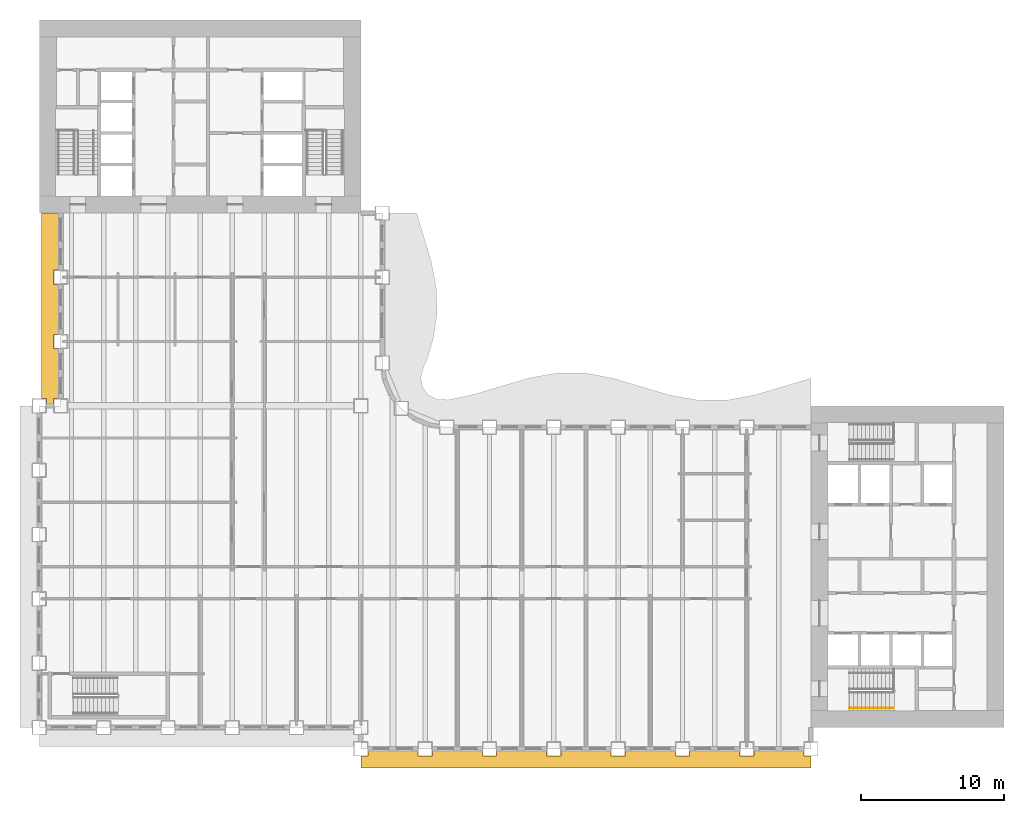
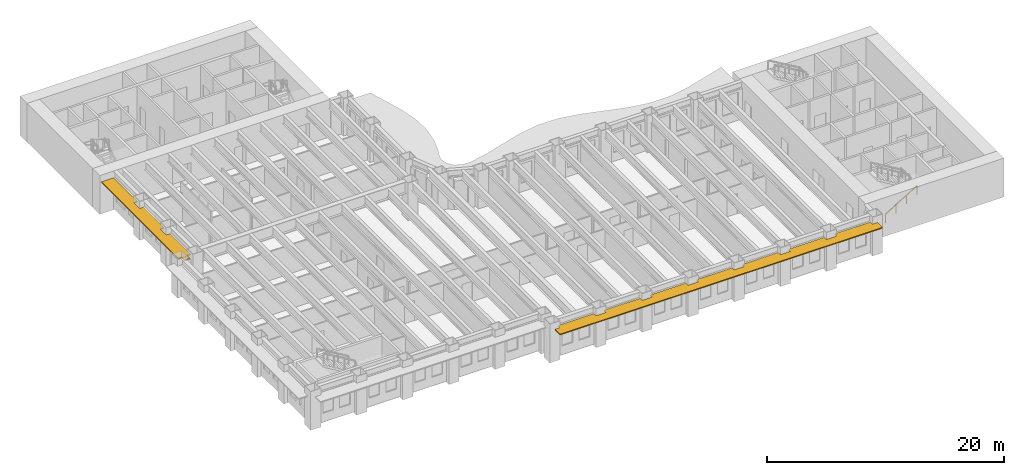
# One storey, part 12 of 16: 2 shading devices, 1 railing.
"""IFC4 building model written with IfcOpenShell, lengths in metres."""

from ifc_helpers import new_model, si_unit, direction, frame, origin, origin_2d, place, context, subcontext, project, spatial, polyline, rectangle, outline, extrude, material, layer, layer_set, type_object, element, save


model = new_model("IFC4")

# Units and contexts
model_context = context("Model", 3, precision=1e-05, world=origin(), true_north=direction((0.0, 1.0)))
body_context = subcontext(model_context, "Body", "Model", "MODEL_VIEW")
ifc_project = project(units=[si_unit("LENGTHUNIT", "METRE"), si_unit("AREAUNIT", "SQUARE_METRE"), si_unit("VOLUMEUNIT", "CUBIC_METRE"), si_unit("PLANEANGLEUNIT", "RADIAN"), si_unit("MASSUNIT", "GRAM", prefix="KILO")], contexts=[model_context])

# Site, building, storey
site_placement = place(None, origin())
site = spatial("IfcSite", under=ifc_project, at=site_placement, CompositionType="ELEMENT")
building_placement = place(site_placement, origin())
building = spatial("IfcBuilding", under=site, at=building_placement, Name="Sennacour Bend Tower", CompositionType="ELEMENT")
storey_placement = place(building_placement, frame((0.0, 0.0, 99.0)))
storey = spatial("IfcBuildingStorey", under=building, at=storey_placement, Name="L22", CompositionType="ELEMENT", Elevation=99.0)

# Railing
ifc_material_1 = material(Name="Stainless steel", Category="steel")
railing_type = type_object("IfcRailingType", Name="RL-HANDRAIL-900", PredefinedType="HANDRAIL", material=ifc_material_1)
railing_placement = place(storey_placement, frame((56.699951171875, 1.35009765625, 0.166748046875)))
element("IfcRailing", 1, at=railing_placement, inside=storey, type_object=railing_type, Name="L22 SA1 stair handrail 1", PredefinedType="HANDRAIL", context=body_context, shape_type="SweptSolid", body=[
    extrude(rectangle(XDim=0.048095703125, YDim=0.048095703125, at=origin_2d()), frame((0.0, 0.0, 0.8759765625), z_axis=(0.859308565015, 0.0, 0.511457515432), x_axis=(0.0, 1.0, 0.0)), (0.0, 0.0, 1.0), 3.58447265625),
    extrude(rectangle(XDim=0.0419921875, YDim=0.0419921875, at=origin_2d()), origin(), (0.0, 0.0, 1.0), 0.851806640625),
    extrude(rectangle(XDim=0.0419921875, YDim=0.0419921875, at=origin_2d()), frame((1.026611328125, 0.0, 0.611083984375)), (0.0, 0.0, 1.0), 0.851806640625),
    extrude(rectangle(XDim=0.0419921875, YDim=0.0419921875, at=origin_2d()), frame((2.053466796875, 0.0, 1.22216796875)), (0.0, 0.0, 1.0), 0.851806640625),
    extrude(rectangle(XDim=0.0419921875, YDim=0.0419921875, at=origin_2d()), frame((3.080078125, 0.0, 1.833251953125)), (0.0, 0.0, 1.0), 0.851806640625),
])

# Shading devices
ifc_material_2 = material(Name="Bronze anodised aluminium", Category="aluminium")
ifc_layer = layer(ifc_material_2, 0.10009765625, Name="Bronze anodised aluminium", Category="aluminium")
ifc_layer_set = layer_set([ifc_layer], Name="Bronze anodised aluminium")
shading_device_type = type_object("IfcShadingDeviceType", Name="SUNSHADE BAND STRAIGHT", PredefinedType="USERDEFINED", material=ifc_layer_set)
shading_device_1_placement = place(storey_placement, frame((0.0, 0.0, 3.053955078125)))
element("IfcShadingDevice", 2, at=shading_device_1_placement, inside=storey, type_object=shading_device_type, Name="Sunshade band L22 A outer face", ObjectType="SUNSHADE", PredefinedType="USERDEFINED", context=body_context, shape_type="SweptSolid", body=[
    extrude(outline(polyline([(26.5, -1.64990234375), (26.5, -2.0), (27.5, -2.0), (27.5, -1.64990234375), (31.0, -1.64990234375), (31.0, -2.0), (32.0, -2.0), (32.0, -1.64990234375), (35.5, -1.64990234375), (35.5, -2.0), (36.5, -2.0), (36.5, -1.64990234375), (40.0, -1.64990234375), (40.0, -2.0), (41.0, -2.0), (41.0, -1.64990234375), (44.5, -1.64990234375), (44.5, -2.0), (45.5, -2.0), (45.5, -1.64990234375), (49.0, -1.64990234375), (49.0, -2.0), (50.0, -2.0), (50.0, -1.64990234375), (53.5, -1.64990234375), (53.5, -2.0), (54.0, -2.0), (54.0, -2.85009765625), (22.5, -2.85009765625), (22.5, -2.0), (23.0, -2.0), (23.0, -1.64990234375), (26.5, -1.64990234375)])), origin(), (0.0, 0.0, 1.0), 0.10009765625),
])
shading_device_2_placement = place(storey_placement, frame((0.0, 0.0, 3.053955078125)))
element("IfcShadingDevice", 3, at=shading_device_2_placement, inside=storey, type_object=shading_device_type, Name="Sunshade band L22 B outer face", ObjectType="SUNSHADE", PredefinedType="USERDEFINED", context=body_context, shape_type="SweptSolid", body=[
    extrude(outline(polyline([(1.35009765625, 32.0), (1.0, 32.0), (1.0, 31.0), (1.35009765625, 31.0), (1.35009765625, 27.5), (1.0, 27.5), (1.0, 26.5), (1.35009765625, 26.5), (1.35009765625, 23.0), (1.0, 23.0), (1.0, 22.5), (0.5, 22.5), (0.5, 23.0), (0.14990234375, 23.0), (0.14990234375, 36.0), (1.35009765625, 36.0), (1.35009765625, 32.0)])), origin(), (0.0, 0.0, 1.0), 0.10009765625),
])

save(model, "model.ifc")
